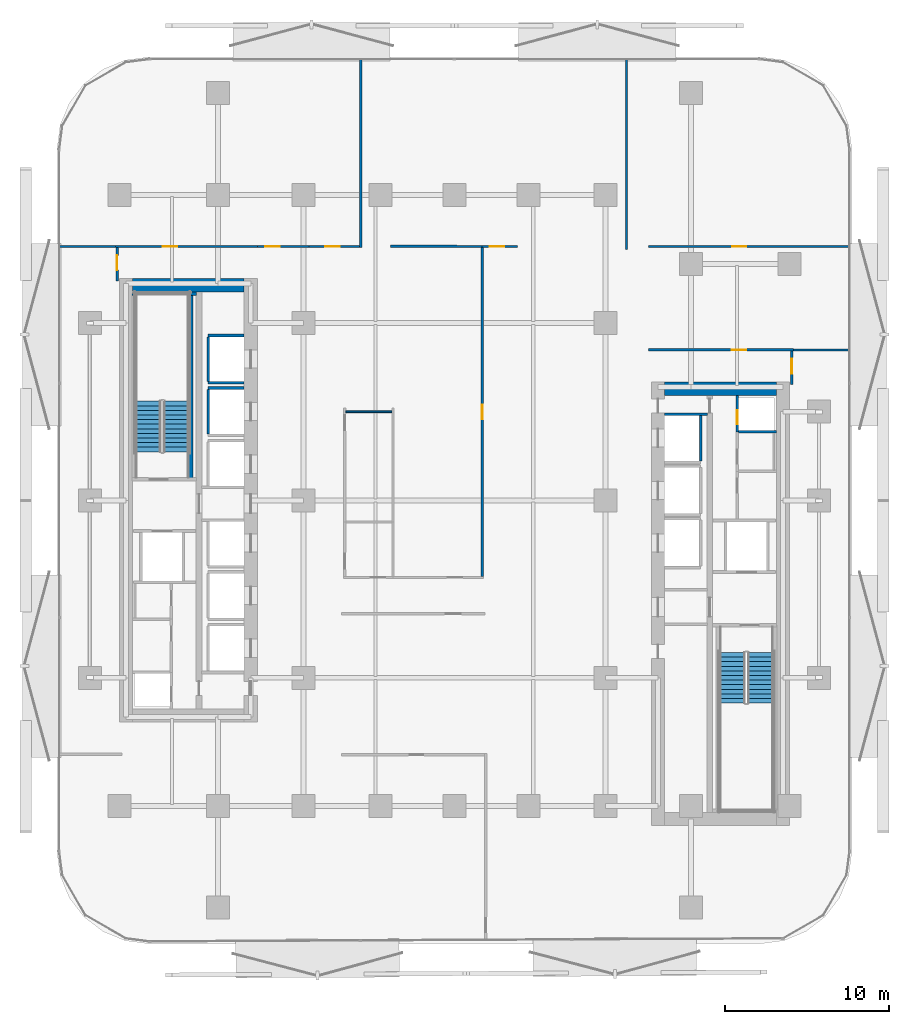
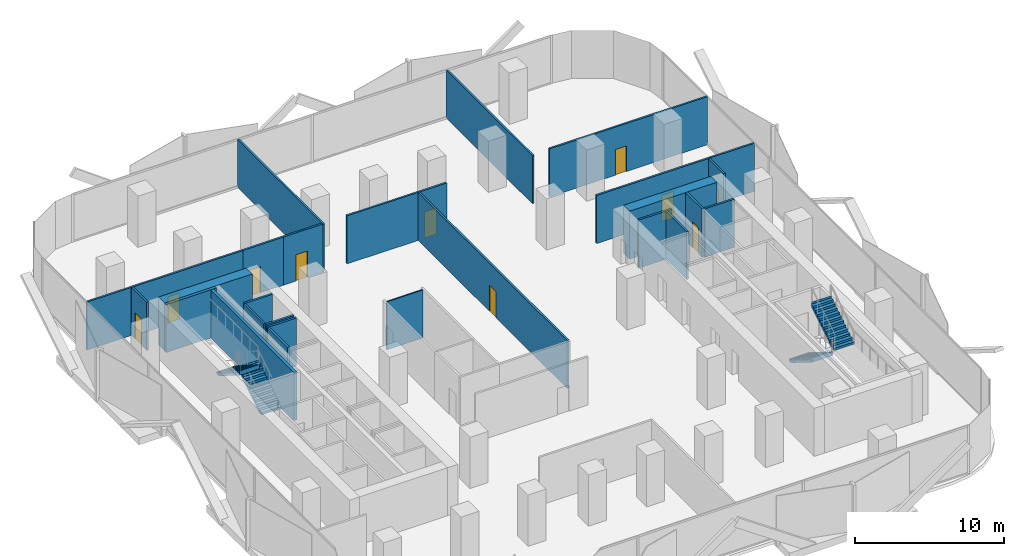
# One storey, part 5 of 15: 28 walls, 10 doors, 4 stair flights, 10 openings, 2 elements without a shape of their own.
"""IFC4 building model written with IfcOpenShell, lengths in metres."""

from ifc_helpers import new_model, si_unit, direction, frame, frame_2d, origin, place, context, subcontext, project, spatial, polyline, rectangle, outline, extrude, material, layer, layer_set, type_object, element, fill, aggregate, save


model = new_model("IFC4")

# Units and contexts
model_context = context("Model", 3, precision=1e-05, world=origin(), true_north=direction((0.0, 1.0)))
body_context = subcontext(model_context, "Body", "Model", "MODEL_VIEW")
ifc_project = project(units=[si_unit("LENGTHUNIT", "METRE"), si_unit("AREAUNIT", "SQUARE_METRE"), si_unit("VOLUMEUNIT", "CUBIC_METRE"), si_unit("PLANEANGLEUNIT", "RADIAN"), si_unit("MASSUNIT", "GRAM", prefix="KILO")], contexts=[model_context])

# Site, building, storey
site_placement = place(None, origin())
site = spatial("IfcSite", under=ifc_project, at=site_placement, CompositionType="ELEMENT")
building_placement = place(site_placement, origin())
building = spatial("IfcBuilding", under=site, at=building_placement, Name="Khairoan Windgate Tower", CompositionType="ELEMENT")
storey_placement = place(building_placement, frame((0.0, 0.0, 72.199951171875)))
storey = spatial("IfcBuildingStorey", under=building, at=storey_placement, Name="L17", CompositionType="ELEMENT", Elevation=72.199951171875)

# Walls
ifc_material_1 = material(Name="Moisture-Resistant Gypsum Partition", Category="gypsum")
ifc_layer_1 = layer(ifc_material_1, 0.10009765625, Name="Moisture-Resistant Gypsum Partition")
ifc_layer_set_1 = layer_set([ifc_layer_1], Name="Moisture-Resistant Gypsum Partition")
wall_type_1 = type_object("IfcWallType", Name="Bathroom Wet-Area Partition Wall", PredefinedType="PARTITIONING", material=ifc_layer_set_1)
wall_1_placement = place(storey_placement, frame((-6.610107421875, 5.39990234375, 0.0), z_axis=(0.0, 0.0, 1.0), x_axis=(1.0, 0.0, 0.0)))
element("IfcWall", 1, at=wall_1_placement, inside=storey, type_object=wall_type_1, Name="L17 Wet Room Side Wall 038", PredefinedType="PARTITIONING", context=body_context, shape_type="SweptSolid", body=[
    extrude(rectangle(XDim=2.800048828125, YDim=0.10009765625, at=frame_2d((1.39990234375, 0.0))), origin(), (0.0, 0.0, 1.0), 3.93994140625),
])
ifc_material_2 = material(Name="Concrete C40/50", Category="concrete")
ifc_layer_2 = layer(ifc_material_2, 0.159912109375, Name="Concrete C40/50")
ifc_layer_set_2 = layer_set([ifc_layer_2], Name="Concrete C40/50")
wall_type_2 = type_object("IfcWallType", Name="Core and Hoistway Enclosure Wall", PredefinedType="STANDARD", material=ifc_layer_set_2)
for number, where, z_axis, x_axis, name in (
    (2, (-14.989990234375, 7.159912109375, 0.0), (0.0, 0.0, 1.0), (1.0, 0.0, 0.0), "L17 Lift PL1 Hoistway Divider S"),
    (3, (-14.989990234375, 10.0400390625, 0.0), (0.0, 0.0, 1.0), (1.0, 0.0, 0.0), "L17 Lift PL1 Hoistway Divider N"),
):
    element("IfcWall", number, at=place(storey_placement, frame(where, z_axis=z_axis, x_axis=x_axis)), inside=storey, type_object=wall_type_2, Name=name, PredefinedType="STANDARD", context=body_context, shape_type="SweptSolid", body=[
        extrude(rectangle(XDim=2.18994140625, YDim=0.159912109375, at=frame_2d((1.094970703125, 0.0))), origin(), (0.0, 0.0, 1.0), 3.93994140625),
    ])
wall_2_placement = place(storey_placement, frame((-14.989990234375, 7.25, 0.0), z_axis=(0.0, 0.0, 1.0), x_axis=(0.0, 1.0, 0.0)))
element("IfcWall", 4, at=wall_2_placement, inside=storey, type_object=wall_type_2, Name="L17 Lift PL1 Hoistway Back Wall", PredefinedType="STANDARD", context=body_context, shape_type="SweptSolid", body=[
    extrude(rectangle(XDim=2.699951171875, YDim=0.159912109375, at=frame_2d((1.35009765625, 0.0))), origin(), (0.0, 0.0, 1.0), 3.93994140625),
])
wall_3_placement = place(storey_placement, frame((-14.989990234375, 6.840087890625, 0.0), z_axis=(0.0, 0.0, 1.0), x_axis=(1.0, 0.0, 0.0)))
element("IfcWall", 5, at=wall_3_placement, inside=storey, type_object=wall_type_2, Name="L17 Lift PL2 Hoistway Divider N", PredefinedType="STANDARD", context=body_context, shape_type="SweptSolid", body=[
    extrude(rectangle(XDim=2.18994140625, YDim=0.159912109375, at=frame_2d((1.094970703125, 0.0))), origin(), (0.0, 0.0, 1.0), 3.93994140625),
])
wall_4_placement = place(storey_placement, frame((-14.989990234375, 4.050048828125, 0.0), z_axis=(0.0, 0.0, 1.0), x_axis=(0.0, 1.0, 0.0)))
element("IfcWall", 6, at=wall_4_placement, inside=storey, type_object=wall_type_2, Name="L17 Lift PL2 Hoistway Back Wall", PredefinedType="STANDARD", context=body_context, shape_type="SweptSolid", body=[
    extrude(rectangle(XDim=2.699951171875, YDim=0.159912109375, at=frame_2d((1.35009765625, 0.0))), origin(), (0.0, 0.0, 1.0), 3.93994140625),
])
wall_5_placement = place(storey_placement, frame((14.989990234375, 2.39990234375, 0.0), z_axis=(0.0, 0.0, 1.0), x_axis=(0.0, 1.0, 0.0)))
element("IfcWall", 7, at=wall_5_placement, inside=storey, type_object=wall_type_2, Name="L17 Lift PL7 Hoistway Back Wall", PredefinedType="STANDARD", context=body_context, shape_type="SweptSolid", body=[
    extrude(rectangle(XDim=2.800048828125, YDim=0.159912109375, at=frame_2d((1.39990234375, 0.0))), origin(), (0.0, 0.0, 1.0), 3.93994140625),
])
wall_6_placement = place(storey_placement, frame((12.800048828125, 5.25, 0.0), z_axis=(0.0, 0.0, 1.0), x_axis=(1.0, 0.0, 0.0)))
element("IfcWall", 8, at=wall_6_placement, inside=storey, type_object=wall_type_2, Name="L17 Core Shaft Wall SW-ESV-L17", PredefinedType="STANDARD", context=body_context, shape_type="SweptSolid", body=[
    extrude(rectangle(XDim=2.599853515625, YDim=0.159912109375, at=frame_2d((1.2998046875, 0.0))), origin(), (0.0, 0.0, 1.0), 3.93994140625),
])
ifc_material_3 = material(Name="Acoustic Fire-Rated Gypsum Partition", Category="gypsum")
ifc_layer_3 = layer(ifc_material_3, 0.139892578125, Name="Acoustic Fire-Rated Gypsum Partition")
ifc_layer_set_3 = layer_set([ifc_layer_3], Name="Acoustic Fire-Rated Gypsum Partition")
wall_type_3 = type_object("IfcWallType", Name="Inter-Tenancy Compartment Wall", PredefinedType="PARTITIONING", material=ifc_layer_set_3)
for number, where, z_axis, x_axis, name in (
    (9, (-24.054931640625, 15.4599609375, 0.0), (0.0, 0.0, 1.0), (1.0, 0.0, 0.0), "L17 Interior Partition 024"),
    (10, (20.639892578125, 9.159912109375, 0.0), (0.0, 0.0, 1.0), (1.0, 0.0, 0.0), "L17 Interior Partition 026"),
):
    element("IfcWall", number, at=place(storey_placement, frame(where, z_axis=z_axis, x_axis=x_axis)), inside=storey, type_object=wall_type_3, Name=name, PredefinedType="PARTITIONING", context=body_context, shape_type="SweptSolid", body=[
        extrude(rectangle(XDim=3.4150390625, YDim=0.139892578125, at=frame_2d((1.70751953125, 0.0))), origin(), (0.0, 0.0, 1.0), 3.93994140625),
    ])

# Wall, opening, door
wall_7_placement = place(storey_placement, frame((11.81005859375, 15.4599609375, 0.0), z_axis=(0.0, 0.0, 1.0), x_axis=(1.0, 0.0, 0.0)))
wall_7 = element("IfcWall", 11, at=wall_7_placement, inside=storey, type_object=wall_type_3, Name="L17 Interior Partition 027", PredefinedType="PARTITIONING", context=body_context, shape_type="SweptSolid", body=[
    extrude(rectangle(XDim=12.244873046875, YDim=0.139892578125, at=frame_2d((6.12255859375, 0.0))), origin(), (0.0, 0.0, 1.0), 3.93994140625),
])
opening_1_placement = place(wall_7_placement, frame((5.09326171875, 0.0, 0.0)))
opening_1 = element("IfcOpeningElement", 12, at=opening_1_placement, cuts=wall_7, Name="Opening FD-SRV", PredefinedType="OPENING", context=body_context, shape_type="SweptSolid", body=[
    extrude(rectangle(XDim=0.85009765625, YDim=2.10009765625, at=frame_2d((0.425048828125, 1.050048828125))), frame((0.0, 0.079833984375, 0.0), z_axis=(0.0, -1.0, 0.0), x_axis=(1.0, 0.0, 0.0)), (0.0, 0.0, 1.0), 0.159912109375),
])
ifc_material_4 = material(Name="Steel S355", Category="steel")
door_type_1 = type_object("IfcDoorType", Name="Core Service and Riser Fire Door FD-SRV 850x2100", OperationType="NOTDEFINED", PredefinedType="DOOR", material=ifc_material_4)
door_1_placement = place(opening_1_placement, origin())
door_1 = element("IfcDoor", 13, at=door_1_placement, inside=storey, type_object=door_type_1, Name="L17 L17-38-L17-41 Door", OperationType="SINGLE_SWING_RIGHT", OverallHeight=2.10009765625, OverallWidth=0.85009765625, PredefinedType="DOOR", context=body_context, shape_type="SweptSolid", body=[
    extrude(rectangle(XDim=0.85009765625, YDim=2.10009765625, at=frame_2d((0.425048828125, 1.050048828125))), frame((0.0, 0.02490234375, 0.0), z_axis=(0.0, -1.0, 0.0), x_axis=(1.0, 0.0, 0.0)), (0.0, 0.0, 1.0), 0.050048828125),
])
fill(opening_1, door_1)

# Walls
wall_8_placement = place(storey_placement, frame((-5.7119140625, 15.385009765625, 0.0), z_axis=(0.0, 0.0, 1.0), x_axis=(0.0, 1.0, 0.0)))
element("IfcWall", 14, at=wall_8_placement, inside=storey, type_object=wall_type_3, Name="L17 Interior Partition 028", PredefinedType="PARTITIONING", context=body_context, shape_type="SweptSolid", body=[
    extrude(rectangle(XDim=11.469970703125, YDim=0.139892578125, at=frame_2d((5.73486328125, 0.0))), origin(), (0.0, 0.0, 1.0), 3.93994140625),
])
wall_9_placement = place(storey_placement, frame((10.471923828125, 15.280029296875, 0.0), z_axis=(0.0, 0.0, 1.0), x_axis=(0.0, 1.0, 0.0)))
element("IfcWall", 15, at=wall_9_placement, inside=storey, type_object=wall_type_3, Name="L17 Interior Partition 029", PredefinedType="PARTITIONING", context=body_context, shape_type="SweptSolid", body=[
    extrude(rectangle(XDim=11.574951171875, YDim=0.139892578125, at=frame_2d((5.78759765625, 0.0))), origin(), (0.0, 0.0, 1.0), 3.93994140625),
])
wall_10_placement = place(storey_placement, frame((-3.89990234375, 15.47998046875, 0.0), z_axis=(0.0, 0.0, 1.0), x_axis=(0.999993575589, -0.003584519724, 0.0)))
element("IfcWall", 16, at=wall_10_placement, inside=storey, type_object=wall_type_3, Name="L17 Interior Partition 030", PredefinedType="PARTITIONING", context=body_context, shape_type="SweptSolid", body=[
    extrude(rectangle(XDim=5.5849609375, YDim=0.139892578125, at=frame_2d((2.79248046875, 0.0))), origin(), (0.0, 0.0, 1.0), 3.93994140625),
])

# Wall, opening, door
ifc_material_5 = material(Name="Concrete C40/50", Category="concrete")
ifc_layer_4 = layer(ifc_material_5, 0.159912109375, Name="Concrete C40/50")
ifc_layer_set_4 = layer_set([ifc_layer_4], Name="Concrete C40/50")
wall_type_4 = type_object("IfcWallType", Name="Plant and Refuge Compartment Wall", PredefinedType="PARTITIONING", material=ifc_layer_set_4)
wall_11_placement = place(storey_placement, frame((17.22998046875, 4.169921875, 0.0), z_axis=(0.0, 0.0, 1.0), x_axis=(0.0, 1.0, 0.0)))
wall_11 = element("IfcWall", 17, at=wall_11_placement, inside=storey, type_object=wall_type_4, Name="L17 Interior Partition 006", PredefinedType="PARTITIONING", context=body_context, shape_type="SweptSolid", body=[
    extrude(rectangle(XDim=2.22998046875, YDim=0.159912109375, at=frame_2d((1.114990234375, 0.0))), origin(), (0.0, 0.0, 1.0), 3.93994140625),
])
opening_2_placement = place(wall_11_placement, frame((0.4599609375, 0.0, 0.0)))
opening_2 = element("IfcOpeningElement", 18, at=opening_2_placement, cuts=wall_11, Name="Opening FD-SRV", PredefinedType="OPENING", context=body_context, shape_type="SweptSolid", body=[
    extrude(rectangle(XDim=0.85009765625, YDim=2.10009765625, at=frame_2d((0.425048828125, 1.050048828125))), frame((0.0, 0.08984375, 0.0), z_axis=(0.0, -1.0, 0.0), x_axis=(1.0, 0.0, 0.0)), (0.0, 0.0, 1.0), 0.179931640625),
])
door_2_placement = place(opening_2_placement, origin())
door_2 = element("IfcDoor", 19, at=door_2_placement, inside=storey, type_object=door_type_1, Name="L17 L17-19-L17-20 Door", OperationType="SINGLE_SWING_RIGHT", OverallHeight=2.10009765625, OverallWidth=0.85009765625, PredefinedType="DOOR", context=body_context, shape_type="SweptSolid", body=[
    extrude(rectangle(XDim=0.85009765625, YDim=2.10009765625, at=frame_2d((0.425048828125, 1.050048828125))), frame((0.0, 0.02490234375, 0.0), z_axis=(0.0, -1.0, 0.0), x_axis=(1.0, 0.0, 0.0)), (0.0, 0.0, 1.0), 0.050048828125),
])
fill(opening_2, door_2)

# Wall
wall_12_placement = place(storey_placement, frame((17.31005859375, 4.169921875, 0.0), z_axis=(0.0, 0.0, 1.0), x_axis=(1.0, 0.0, 0.0)))
element("IfcWall", 20, at=wall_12_placement, inside=storey, type_object=wall_type_4, Name="L17 Interior Partition 009", PredefinedType="PARTITIONING", context=body_context, shape_type="SweptSolid", body=[
    extrude(rectangle(XDim=2.2900390625, YDim=0.159912109375, at=frame_2d((1.14501953125, 0.0))), origin(), (0.0, 0.0, 1.0), 3.93994140625),
])

# Wall, opening, door
ifc_material_6 = material(Name="Acoustic Fire-Rated Gypsum Partition", Category="gypsum")
ifc_layer_5 = layer(ifc_material_6, 0.14990234375, Name="Acoustic Fire-Rated Gypsum Partition")
ifc_layer_set_5 = layer_set([ifc_layer_5], Name="Acoustic Fire-Rated Gypsum Partition")
wall_type_5 = type_object("IfcWallType", Name="Rated Corridor Partition Wall", PredefinedType="PARTITIONING", material=ifc_layer_set_5)
wall_13_placement = place(storey_placement, frame((-11.989990234375, 15.4599609375, 0.0), z_axis=(0.0, 0.0, 1.0), x_axis=(1.0, 0.0, 0.0)))
wall_13 = element("IfcWall", 21, at=wall_13_placement, inside=storey, type_object=wall_type_5, Name="L17 Interior Partition 011", PredefinedType="PARTITIONING", context=body_context, shape_type="SweptSolid", body=[
    extrude(rectangle(XDim=3.14990234375, YDim=0.14990234375, at=frame_2d((1.574951171875, 0.0))), origin(), (0.0, 0.0, 1.0), 3.93994140625),
])
opening_3_placement = place(wall_13_placement, frame((0.4599609375, 0.0, 0.0)))
opening_3 = element("IfcOpeningElement", 22, at=opening_3_placement, cuts=wall_13, Name="Opening FD-ENT", PredefinedType="OPENING", context=body_context, shape_type="SweptSolid", body=[
    extrude(rectangle(XDim=0.89990234375, YDim=2.14990234375, at=frame_2d((0.449951171875, 1.074951171875))), frame((0.0, 0.0849609375, 0.0), z_axis=(0.0, -1.0, 0.0), x_axis=(1.0, 0.0, 0.0)), (0.0, 0.0, 1.0), 0.169921875),
])
ifc_material_7 = material(Name="Timber Fire-Rated Core", Category="wood")
door_type_2 = type_object("IfcDoorType", Name="Unit and Office Fire Entrance Door FD-ENT 900x2150", OperationType="NOTDEFINED", PredefinedType="DOOR", material=ifc_material_7)
door_3_placement = place(opening_3_placement, origin())
door_3 = element("IfcDoor", 23, at=door_3_placement, inside=storey, type_object=door_type_2, Name="L17 L17-29-L17-39 Door", OperationType="SINGLE_SWING_LEFT", OverallHeight=2.14990234375, OverallWidth=0.89990234375, PredefinedType="DOOR", context=body_context, shape_type="SweptSolid", body=[
    extrude(rectangle(XDim=0.89990234375, YDim=2.14990234375, at=frame_2d((0.449951171875, 1.074951171875))), frame((0.0, 0.02490234375, 0.0), z_axis=(0.0, -1.0, 0.0), x_axis=(1.0, 0.0, 0.0)), (0.0, 0.0, 1.0), 0.050048828125),
])
fill(opening_3, door_3)

wall_14_placement = place(storey_placement, frame((-8.840087890625, 15.4599609375, 0.0), z_axis=(0.0, 0.0, 1.0), x_axis=(1.0, 0.0, 0.0)))
wall_14 = element("IfcWall", 24, at=wall_14_placement, inside=storey, type_object=wall_type_5, Name="L17 Interior Partition 015", PredefinedType="PARTITIONING", context=body_context, shape_type="SweptSolid", body=[
    extrude(rectangle(XDim=3.05810546875, YDim=0.14990234375, at=frame_2d((1.529052734375, 0.0))), origin(), (0.0, 0.0, 1.0), 3.93994140625),
])
opening_4_placement = place(wall_14_placement, frame((0.969970703125, 0.0, 0.0)))
opening_4 = element("IfcOpeningElement", 25, at=opening_4_placement, cuts=wall_14, Name="Opening FD-ENT", PredefinedType="OPENING", context=body_context, shape_type="SweptSolid", body=[
    extrude(rectangle(XDim=0.89990234375, YDim=2.14990234375, at=frame_2d((0.449951171875, 1.074951171875))), frame((0.0, 0.0849609375, 0.0), z_axis=(0.0, -1.0, 0.0), x_axis=(1.0, 0.0, 0.0)), (0.0, 0.0, 1.0), 0.169921875),
])
door_4_placement = place(opening_4_placement, origin())
door_4 = element("IfcDoor", 26, at=door_4_placement, inside=storey, type_object=door_type_2, Name="L17 L17-32-L17-39 Door", OperationType="SINGLE_SWING_LEFT", OverallHeight=2.14990234375, OverallWidth=0.89990234375, PredefinedType="DOOR", context=body_context, shape_type="SweptSolid", body=[
    extrude(rectangle(XDim=0.89990234375, YDim=2.14990234375, at=frame_2d((0.449951171875, 1.074951171875))), frame((0.0, 0.02490234375, 0.0), z_axis=(0.0, -1.0, 0.0), x_axis=(1.0, 0.0, 0.0)), (0.0, 0.0, 1.0), 0.050048828125),
])
fill(opening_4, door_4)

wall_15_placement = place(storey_placement, frame((1.68505859375, 15.4599609375, 0.0), z_axis=(0.0, 0.0, 1.0), x_axis=(1.0, 0.0, 0.0)))
wall_15 = element("IfcWall", 27, at=wall_15_placement, inside=storey, type_object=wall_type_5, Name="L17 Interior Partition 018", PredefinedType="PARTITIONING", context=body_context, shape_type="SweptSolid", body=[
    extrude(rectangle(XDim=2.155029296875, YDim=0.14990234375, at=frame_2d((1.07763671875, 0.0))), origin(), (0.0, 0.0, 1.0), 3.93994140625),
])
opening_5_placement = place(wall_15_placement, frame((0.4599609375, 0.0, 0.0)))
opening_5 = element("IfcOpeningElement", 28, at=opening_5_placement, cuts=wall_15, Name="Opening FD-ENT", PredefinedType="OPENING", context=body_context, shape_type="SweptSolid", body=[
    extrude(rectangle(XDim=0.89990234375, YDim=2.14990234375, at=frame_2d((0.449951171875, 1.074951171875))), frame((0.0, 0.0849609375, 0.0), z_axis=(0.0, -1.0, 0.0), x_axis=(1.0, 0.0, 0.0)), (0.0, 0.0, 1.0), 0.169921875),
])
door_5_placement = place(opening_5_placement, origin())
door_5 = element("IfcDoor", 29, at=door_5_placement, inside=storey, type_object=door_type_2, Name="L17 L17-33-L17-40 Door", OperationType="SINGLE_SWING_RIGHT", OverallHeight=2.14990234375, OverallWidth=0.89990234375, PredefinedType="DOOR", context=body_context, shape_type="SweptSolid", body=[
    extrude(rectangle(XDim=0.89990234375, YDim=2.14990234375, at=frame_2d((0.449951171875, 1.074951171875))), frame((0.0, 0.02490234375, 0.0), z_axis=(0.0, -1.0, 0.0), x_axis=(1.0, 0.0, 0.0)), (0.0, 0.0, 1.0), 0.050048828125),
])
fill(opening_5, door_5)

wall_16_placement = place(storey_placement, frame((1.68505859375, -4.6201171875, 0.0), z_axis=(0.0, 0.0, 1.0), x_axis=(0.0, 1.0, 0.0)))
wall_16 = element("IfcWall", 30, at=wall_16_placement, inside=storey, type_object=wall_type_5, Name="L17 Interior Partition 019", PredefinedType="PARTITIONING", context=body_context, shape_type="SweptSolid", body=[
    extrude(rectangle(XDim=20.005126953125, YDim=0.14990234375, at=frame_2d((10.00244140625, 0.0))), origin(), (0.0, 0.0, 1.0), 3.93994140625),
])
opening_6_placement = place(wall_16_placement, frame((9.552490234375, 0.0, 0.0)))
opening_6 = element("IfcOpeningElement", 31, at=opening_6_placement, cuts=wall_16, Name="Opening FD-ENT", PredefinedType="OPENING", context=body_context, shape_type="SweptSolid", body=[
    extrude(rectangle(XDim=0.89990234375, YDim=2.14990234375, at=frame_2d((0.449951171875, 1.074951171875))), frame((0.0, 0.0849609375, 0.0), z_axis=(0.0, -1.0, 0.0), x_axis=(1.0, 0.0, 0.0)), (0.0, 0.0, 1.0), 0.169921875),
])
door_6_placement = place(opening_6_placement, origin())
door_6 = element("IfcDoor", 32, at=door_6_placement, inside=storey, type_object=door_type_2, Name="L17 L17-33-L17-46 Door", OperationType="SINGLE_SWING_LEFT", OverallHeight=2.14990234375, OverallWidth=0.89990234375, PredefinedType="DOOR", context=body_context, shape_type="SweptSolid", body=[
    extrude(rectangle(XDim=0.89990234375, YDim=2.14990234375, at=frame_2d((0.449951171875, 1.074951171875))), frame((0.0, 0.02490234375, 0.0), z_axis=(0.0, -1.0, 0.0), x_axis=(1.0, 0.0, 0.0)), (0.0, 0.0, 1.0), 0.050048828125),
])
fill(opening_6, door_6)

wall_17_placement = place(storey_placement, frame((-20.5400390625, 13.360107421875, 0.0), z_axis=(0.0, 0.0, 1.0), x_axis=(0.0, 1.0, 0.0)))
wall_17 = element("IfcWall", 33, at=wall_17_placement, inside=storey, type_object=wall_type_5, Name="L17 Interior Partition 020", PredefinedType="PARTITIONING", context=body_context, shape_type="SweptSolid", body=[
    extrude(rectangle(XDim=2.02490234375, YDim=0.14990234375, at=frame_2d((1.012451171875, 0.0))), origin(), (0.0, 0.0, 1.0), 3.93994140625),
])
opening_7_placement = place(wall_17_placement, frame((0.6650390625, 0.0, 0.0)))
opening_7 = element("IfcOpeningElement", 34, at=opening_7_placement, cuts=wall_17, Name="Opening FD-ENT", PredefinedType="OPENING", context=body_context, shape_type="SweptSolid", body=[
    extrude(rectangle(XDim=0.89990234375, YDim=2.14990234375, at=frame_2d((0.449951171875, 1.074951171875))), frame((0.0, 0.0849609375, 0.0), z_axis=(0.0, -1.0, 0.0), x_axis=(1.0, 0.0, 0.0)), (0.0, 0.0, 1.0), 0.169921875),
])
door_7_placement = place(opening_7_placement, origin())
door_7 = element("IfcDoor", 35, at=door_7_placement, inside=storey, type_object=door_type_2, Name="L17 L17-34-L17-36 Door", OperationType="SINGLE_SWING_RIGHT", OverallHeight=2.14990234375, OverallWidth=0.89990234375, PredefinedType="DOOR", context=body_context, shape_type="SweptSolid", body=[
    extrude(rectangle(XDim=0.89990234375, YDim=2.14990234375, at=frame_2d((0.449951171875, 1.074951171875))), frame((0.0, 0.02490234375, 0.0), z_axis=(0.0, -1.0, 0.0), x_axis=(1.0, 0.0, 0.0)), (0.0, 0.0, 1.0), 0.050048828125),
])
fill(opening_7, door_7)

wall_18_placement = place(storey_placement, frame((-20.639892578125, 15.4599609375, 0.0), z_axis=(0.0, 0.0, 1.0), x_axis=(1.0, 0.0, 0.0)))
wall_18 = element("IfcWall", 36, at=wall_18_placement, inside=storey, type_object=wall_type_5, Name="L17 Interior Partition 021", PredefinedType="PARTITIONING", context=body_context, shape_type="SweptSolid", body=[
    extrude(rectangle(XDim=8.64990234375, YDim=0.14990234375, at=frame_2d((4.324951171875, 0.0))), origin(), (0.0, 0.0, 1.0), 3.93994140625),
])
opening_8_placement = place(wall_18_placement, frame((2.87060546875, 0.0, 0.0)))
opening_8 = element("IfcOpeningElement", 37, at=opening_8_placement, cuts=wall_18, Name="Opening FD-ENT", PredefinedType="OPENING", context=body_context, shape_type="SweptSolid", body=[
    extrude(rectangle(XDim=0.89990234375, YDim=2.14990234375, at=frame_2d((0.449951171875, 1.074951171875))), frame((0.0, 0.0849609375, 0.0), z_axis=(0.0, -1.0, 0.0), x_axis=(1.0, 0.0, 0.0)), (0.0, 0.0, 1.0), 0.169921875),
])
door_8_placement = place(opening_8_placement, origin())
door_8 = element("IfcDoor", 38, at=door_8_placement, inside=storey, type_object=door_type_2, Name="L17 L17-34-L17-39 Door", OperationType="SINGLE_SWING_LEFT", OverallHeight=2.14990234375, OverallWidth=0.89990234375, PredefinedType="DOOR", context=body_context, shape_type="SweptSolid", body=[
    extrude(rectangle(XDim=0.89990234375, YDim=2.14990234375, at=frame_2d((0.449951171875, 1.074951171875))), frame((0.0, 0.02490234375, 0.0), z_axis=(0.0, -1.0, 0.0), x_axis=(1.0, 0.0, 0.0)), (0.0, 0.0, 1.0), 0.050048828125),
])
fill(opening_8, door_8)

wall_19_placement = place(storey_placement, frame((20.5400390625, 7.06005859375, 0.0), z_axis=(0.0, 0.0, 1.0), x_axis=(0.0, 1.0, 0.0)))
wall_19 = element("IfcWall", 39, at=wall_19_placement, inside=storey, type_object=wall_type_5, Name="L17 Interior Partition 022", PredefinedType="PARTITIONING", context=body_context, shape_type="SweptSolid", body=[
    extrude(rectangle(XDim=2.02490234375, YDim=0.14990234375, at=frame_2d((1.012451171875, 0.0))), origin(), (0.0, 0.0, 1.0), 3.93994140625),
])
opening_9_placement = place(wall_19_placement, frame((0.6650390625, 0.0, 0.0)))
opening_9 = element("IfcOpeningElement", 40, at=opening_9_placement, cuts=wall_19, Name="Opening FD-ENT", PredefinedType="OPENING", context=body_context, shape_type="SweptSolid", body=[
    extrude(rectangle(XDim=0.89990234375, YDim=2.14990234375, at=frame_2d((0.449951171875, 1.074951171875))), frame((0.0, 0.0849609375, 0.0), z_axis=(0.0, -1.0, 0.0), x_axis=(1.0, 0.0, 0.0)), (0.0, 0.0, 1.0), 0.169921875),
])
door_9_placement = place(opening_9_placement, origin())
door_9 = element("IfcDoor", 41, at=door_9_placement, inside=storey, type_object=door_type_2, Name="L17 L17-35-L17-37 Door", OperationType="SINGLE_SWING_RIGHT", OverallHeight=2.14990234375, OverallWidth=0.89990234375, PredefinedType="DOOR", context=body_context, shape_type="SweptSolid", body=[
    extrude(rectangle(XDim=0.89990234375, YDim=2.14990234375, at=frame_2d((0.449951171875, 1.074951171875))), frame((0.0, 0.02490234375, 0.0), z_axis=(0.0, -1.0, 0.0), x_axis=(1.0, 0.0, 0.0)), (0.0, 0.0, 1.0), 0.050048828125),
])
fill(opening_9, door_9)

wall_20_placement = place(storey_placement, frame((11.81005859375, 9.159912109375, 0.0), z_axis=(0.0, 0.0, 1.0), x_axis=(1.0, 0.0, 0.0)))
wall_20 = element("IfcWall", 42, at=wall_20_placement, inside=storey, type_object=wall_type_5, Name="L17 Interior Partition 023", PredefinedType="PARTITIONING", context=body_context, shape_type="SweptSolid", body=[
    extrude(rectangle(XDim=8.829833984375, YDim=0.14990234375, at=frame_2d((4.4150390625, 0.0))), origin(), (0.0, 0.0, 1.0), 3.93994140625),
])
opening_10_placement = place(wall_20_placement, frame((5.066650390625, 0.0, 0.0)))
opening_10 = element("IfcOpeningElement", 43, at=opening_10_placement, cuts=wall_20, Name="Opening FD-ENT", PredefinedType="OPENING", context=body_context, shape_type="SweptSolid", body=[
    extrude(rectangle(XDim=0.89990234375, YDim=2.14990234375, at=frame_2d((0.449951171875, 1.074951171875))), frame((0.0, 0.0849609375, 0.0), z_axis=(0.0, -1.0, 0.0), x_axis=(1.0, 0.0, 0.0)), (0.0, 0.0, 1.0), 0.169921875),
])
door_10_placement = place(opening_10_placement, origin())
door_10 = element("IfcDoor", 44, at=door_10_placement, inside=storey, type_object=door_type_2, Name="L17 L17-35-L17-38 Door", OperationType="SINGLE_SWING_LEFT", OverallHeight=2.14990234375, OverallWidth=0.89990234375, PredefinedType="DOOR", context=body_context, shape_type="SweptSolid", body=[
    extrude(rectangle(XDim=0.89990234375, YDim=2.14990234375, at=frame_2d((0.449951171875, 1.074951171875))), frame((0.0, 0.02490234375, 0.0), z_axis=(0.0, -1.0, 0.0), x_axis=(1.0, 0.0, 0.0)), (0.0, 0.0, 1.0), 0.050048828125),
])
fill(opening_10, door_10)

# Walls
ifc_material_8 = material(Name="Concrete C70/85", Category="concrete")
ifc_layer_6 = layer(ifc_material_8, 0.800048828125, Name="Concrete C70/85")
ifc_layer_set_6 = layer_set([ifc_layer_6], Name="Concrete C70/85")
wall_type_6 = type_object("IfcWallType", Name="Shear Wall CW-E1 800mm", PredefinedType="SHEAR", material=ifc_layer_set_6)
wall_21_placement = place(storey_placement, frame((12.800048828125, 6.800048828125, 0.0), z_axis=(0.0, 0.0, 1.0), x_axis=(1.0, 0.0, 0.0)))
element("IfcWall", 45, at=wall_21_placement, inside=storey, type_object=wall_type_6, Name="E Core North Shear Wall L17", PredefinedType="SHEAR", context=body_context, shape_type="SweptSolid", body=[
    extrude(rectangle(XDim=6.800048828125, YDim=0.800048828125, at=frame_2d((3.39990234375, 0.0))), origin(), (0.0, 0.0, 1.0), 3.93994140625),
])
ifc_material_9 = material(Name="Concrete C70/85", Category="concrete")
ifc_layer_7 = layer(ifc_material_9, 0.800048828125, Name="Concrete C70/85")
ifc_layer_set_7 = layer_set([ifc_layer_7], Name="Concrete C70/85")
wall_type_7 = type_object("IfcWallType", Name="Shear Wall CW-W1 800mm", PredefinedType="SHEAR", material=ifc_layer_set_7)
wall_22_placement = place(storey_placement, frame((-19.60009765625, 13.10009765625, 0.0), z_axis=(0.0, 0.0, 1.0), x_axis=(1.0, 0.0, 0.0)))
element("IfcWall", 46, at=wall_22_placement, inside=storey, type_object=wall_type_7, Name="W Core North Shear Wall L17", PredefinedType="SHEAR", context=body_context, shape_type="SweptSolid", body=[
    extrude(rectangle(XDim=6.800048828125, YDim=0.800048828125, at=frame_2d((3.39990234375, 0.0))), origin(), (0.0, 0.0, 1.0), 3.93994140625),
])
ifc_material_10 = material(Name="Concrete C50/60", Category="concrete")
ifc_layer_8 = layer(ifc_material_10, 0.219970703125, Name="Concrete C50/60")
ifc_layer_set_8 = layer_set([ifc_layer_8], Name="Concrete C50/60")
wall_type_8 = type_object("IfcWallType", Name="Shear Wall SW-ST 220mm", PredefinedType="SHEAR", material=ifc_layer_set_8)
wall_23_placement = place(storey_placement, frame((-16.0400390625, 1.2900390625, 0.0), z_axis=(0.0, 0.0, 1.0), x_axis=(0.0, 1.0, 0.0)))
element("IfcWall", 47, at=wall_23_placement, inside=storey, type_object=wall_type_8, Name="L17 Stair ST2 East Bearing Wall", PredefinedType="SHEAR", context=body_context, shape_type="SweptSolid", body=[
    extrude(rectangle(XDim=11.300048828125, YDim=0.219970703125, at=frame_2d((5.64990234375, 0.0))), origin(), (0.0, 0.0, 1.0), 3.93994140625),
])
wall_24_placement = place(storey_placement, frame((-19.6201171875, 12.590087890625, 0.0), z_axis=(0.0, 0.0, 1.0), x_axis=(1.0, 0.0, 0.0)))
element("IfcWall", 48, at=wall_24_placement, inside=storey, type_object=wall_type_8, Name="L17 Stair ST2 North Bearing Wall", PredefinedType="SHEAR", context=body_context, shape_type="SweptSolid", body=[
    extrude(rectangle(XDim=3.9150390625, YDim=0.219970703125, at=frame_2d((1.95751953125, 0.0))), origin(), (0.0, 0.0, 1.0), 3.93994140625),
])

# Stair, stair flights
ifc_material_11 = material(Name="Concrete C40/50", Category="concrete")
stair_type = type_object("IfcStairType", Name="Tower Core Dog-Leg Stair ST-T1 1560mm", PredefinedType="HALF_TURN_STAIR", material=ifc_material_11)
stair_1_placement = place(storey_placement, origin())
stair_1 = element("IfcStair", 49, at=stair_1_placement, inside=storey, type_object=stair_type, Name="L17 Stair ST1", PredefinedType="HALF_TURN_STAIR")
ifc_material_12 = material(Name="Concrete C40/50", Category="concrete")
ifc_layer_9 = layer(ifc_material_12, 0.14990234375, Name="Concrete C40/50")
ifc_layer_set_9 = layer_set([ifc_layer_9], Name="Concrete C40/50")
stair_flight_type = type_object("IfcStairFlightType", Name="Tower Core Stair Flight STF-1560", PredefinedType="STRAIGHT", material=ifc_layer_set_9)
stair_flight_1_placement = place(storey_placement, frame((16.929931640625, -9.260009765625, 0.0), z_axis=(0.0, 0.0, 1.0), x_axis=(0.0, -1.0, 0.0)))
stair_flight_1 = element("IfcStairFlight", 50, at=stair_flight_1_placement, type_object=stair_flight_type, Name="ST1 flight 1", NumberOfRisers=12, NumberOfTreads=11, PredefinedType="STRAIGHT", RiserHeight=0.175, TreadLength=0.28, context=body_context, shape_type="SweptSolid", body=[
    extrude(outline(polyline([(-0.00390625, 0.0), (-0.00390625, 0.175048828125), (0.0, 0.175048828125), (0.280029296875, 0.175048828125), (0.280029296875, 0.35009765625), (0.56005859375, 0.35009765625), (0.56005859375, 0.52490234375), (0.840087890625, 0.52490234375), (0.840087890625, 0.699951171875), (1.1201171875, 0.699951171875), (1.1201171875, 0.875), (1.39990234375, 0.875), (1.39990234375, 1.050048828125), (1.679931640625, 1.050048828125), (1.679931640625, 1.22509765625), (1.9599609375, 1.22509765625), (1.9599609375, 1.39990234375), (2.239990234375, 1.39990234375), (2.239990234375, 1.574951171875), (2.52001953125, 1.574951171875), (2.52001953125, 1.75), (2.800048828125, 1.75), (2.800048828125, 1.925048828125), (3.080078125, 1.925048828125), (3.080078125, 2.10009765625), (3.083984375, 2.10009765625), (3.083984375, 1.748291015625), (0.28271484375, 0.0), (-0.00390625, 0.0)])), frame((0.0, 0.780029296875, 0.0), z_axis=(0.0, -1.0, 0.0), x_axis=(1.0, 0.0, 0.0)), (0.0, 0.0, 1.0), 1.56005859375),
])
stair_flight_2_placement = place(storey_placement, frame((18.639892578125, -12.340087890625, 2.10009765625), z_axis=(0.0, 0.0, 1.0), x_axis=(0.0, 1.0, 0.0)))
stair_flight_2 = element("IfcStairFlight", 51, at=stair_flight_2_placement, type_object=stair_flight_type, Name="ST1 flight 2", NumberOfRisers=12, NumberOfTreads=11, PredefinedType="STRAIGHT", RiserHeight=0.175, TreadLength=0.28, context=body_context, shape_type="SweptSolid", body=[
    extrude(outline(polyline([(-0.00390625, 0.0), (-0.00390625, 0.175048828125), (0.0, 0.175048828125), (0.280029296875, 0.175048828125), (0.280029296875, 0.35009765625), (0.56005859375, 0.35009765625), (0.56005859375, 0.52490234375), (0.840087890625, 0.52490234375), (0.840087890625, 0.699951171875), (1.1201171875, 0.699951171875), (1.1201171875, 0.875), (1.39990234375, 0.875), (1.39990234375, 1.050048828125), (1.679931640625, 1.050048828125), (1.679931640625, 1.22509765625), (1.9599609375, 1.22509765625), (1.9599609375, 1.39990234375), (2.239990234375, 1.39990234375), (2.239990234375, 1.574951171875), (2.52001953125, 1.574951171875), (2.52001953125, 1.75), (2.800048828125, 1.75), (2.800048828125, 1.925048828125), (3.080078125, 1.925048828125), (3.080078125, 2.10009765625), (3.083984375, 2.10009765625), (3.083984375, 1.748291015625), (0.28271484375, 0.0), (-0.00390625, 0.0)])), frame((0.0, 0.780029296875, 0.0), z_axis=(0.0, -1.0, 0.0), x_axis=(1.0, 0.0, 0.0)), (0.0, 0.0, 1.0), 1.56005859375),
])
aggregate(stair_1, [stair_flight_1, stair_flight_2])

stair_2_placement = place(storey_placement, origin())
stair_2 = element("IfcStair", 52, at=stair_2_placement, inside=storey, type_object=stair_type, Name="L17 Stair ST2", PredefinedType="HALF_TURN_STAIR")
stair_flight_3_placement = place(storey_placement, frame((-16.929931640625, 2.9599609375, 0.0), z_axis=(0.0, 0.0, 1.0), x_axis=(0.0, 1.0, 0.0)))
stair_flight_3 = element("IfcStairFlight", 53, at=stair_flight_3_placement, type_object=stair_flight_type, Name="ST2 flight 1", NumberOfRisers=12, NumberOfTreads=11, PredefinedType="STRAIGHT", RiserHeight=0.175, TreadLength=0.28, context=body_context, shape_type="SweptSolid", body=[
    extrude(outline(polyline([(-0.00390625, 0.0), (-0.00390625, 0.175048828125), (0.0, 0.175048828125), (0.280029296875, 0.175048828125), (0.280029296875, 0.35009765625), (0.56005859375, 0.35009765625), (0.56005859375, 0.52490234375), (0.840087890625, 0.52490234375), (0.840087890625, 0.699951171875), (1.1201171875, 0.699951171875), (1.1201171875, 0.875), (1.39990234375, 0.875), (1.39990234375, 1.050048828125), (1.679931640625, 1.050048828125), (1.679931640625, 1.22509765625), (1.9599609375, 1.22509765625), (1.9599609375, 1.39990234375), (2.239990234375, 1.39990234375), (2.239990234375, 1.574951171875), (2.52001953125, 1.574951171875), (2.52001953125, 1.75), (2.800048828125, 1.75), (2.800048828125, 1.925048828125), (3.080078125, 1.925048828125), (3.080078125, 2.10009765625), (3.083984375, 2.10009765625), (3.083984375, 1.748291015625), (0.28271484375, 0.0), (-0.00390625, 0.0)])), frame((0.0, 0.780029296875, 0.0), z_axis=(0.0, -1.0, 0.0), x_axis=(1.0, 0.0, 0.0)), (0.0, 0.0, 1.0), 1.56005859375),
])
stair_flight_4_placement = place(storey_placement, frame((-18.639892578125, 6.0400390625, 2.10009765625), z_axis=(0.0, 0.0, 1.0), x_axis=(0.0, -1.0, 0.0)))
stair_flight_4 = element("IfcStairFlight", 54, at=stair_flight_4_placement, type_object=stair_flight_type, Name="ST2 flight 2", NumberOfRisers=12, NumberOfTreads=11, PredefinedType="STRAIGHT", RiserHeight=0.175, TreadLength=0.28, context=body_context, shape_type="SweptSolid", body=[
    extrude(outline(polyline([(-0.00390625, 0.0), (-0.00390625, 0.175048828125), (0.0, 0.175048828125), (0.280029296875, 0.175048828125), (0.280029296875, 0.35009765625), (0.56005859375, 0.35009765625), (0.56005859375, 0.52490234375), (0.840087890625, 0.52490234375), (0.840087890625, 0.699951171875), (1.1201171875, 0.699951171875), (1.1201171875, 0.875), (1.39990234375, 0.875), (1.39990234375, 1.050048828125), (1.679931640625, 1.050048828125), (1.679931640625, 1.22509765625), (1.9599609375, 1.22509765625), (1.9599609375, 1.39990234375), (2.239990234375, 1.39990234375), (2.239990234375, 1.574951171875), (2.52001953125, 1.574951171875), (2.52001953125, 1.75), (2.800048828125, 1.75), (2.800048828125, 1.925048828125), (3.080078125, 1.925048828125), (3.080078125, 2.10009765625), (3.083984375, 2.10009765625), (3.083984375, 1.748291015625), (0.28271484375, 0.0), (-0.00390625, 0.0)])), frame((0.0, 0.780029296875, 0.0), z_axis=(0.0, -1.0, 0.0), x_axis=(1.0, 0.0, 0.0)), (0.0, 0.0, 1.0), 1.56005859375),
])
aggregate(stair_2, [stair_flight_3, stair_flight_4])

save(model, "model.ifc")
